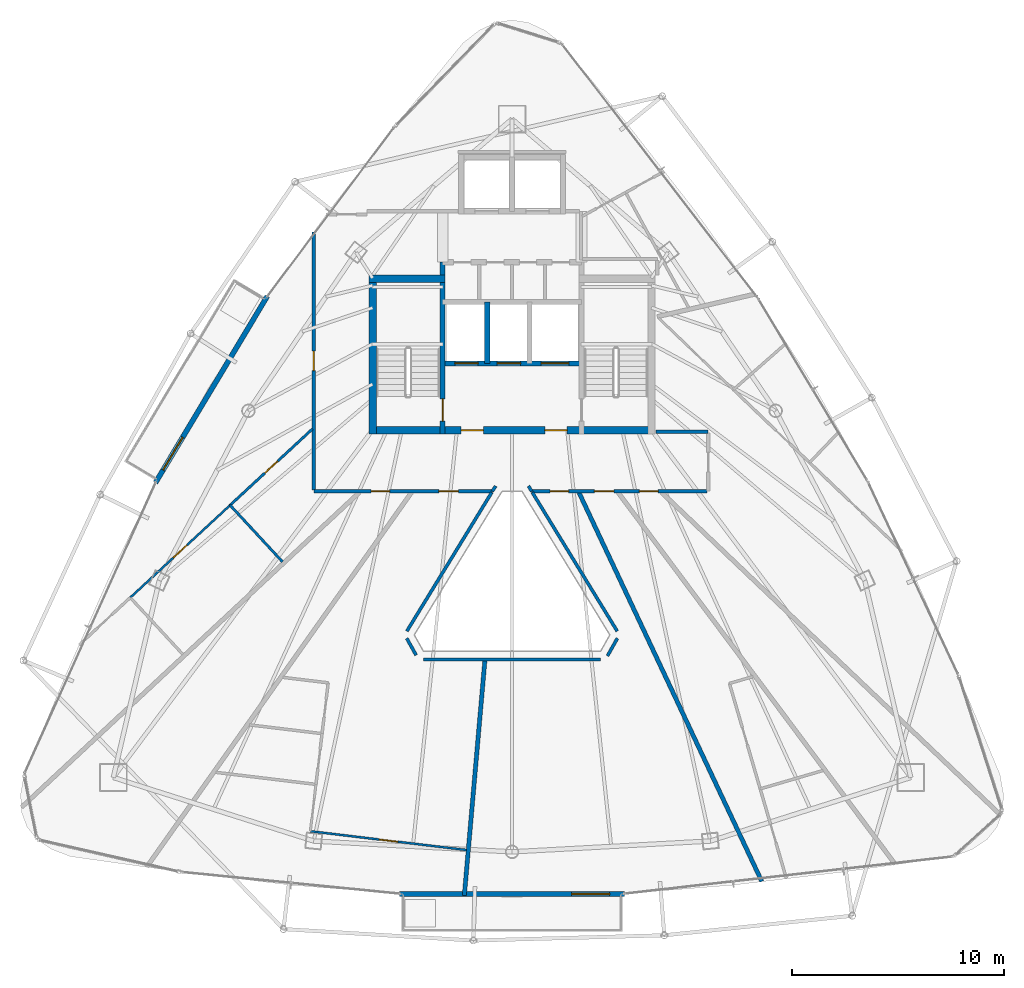
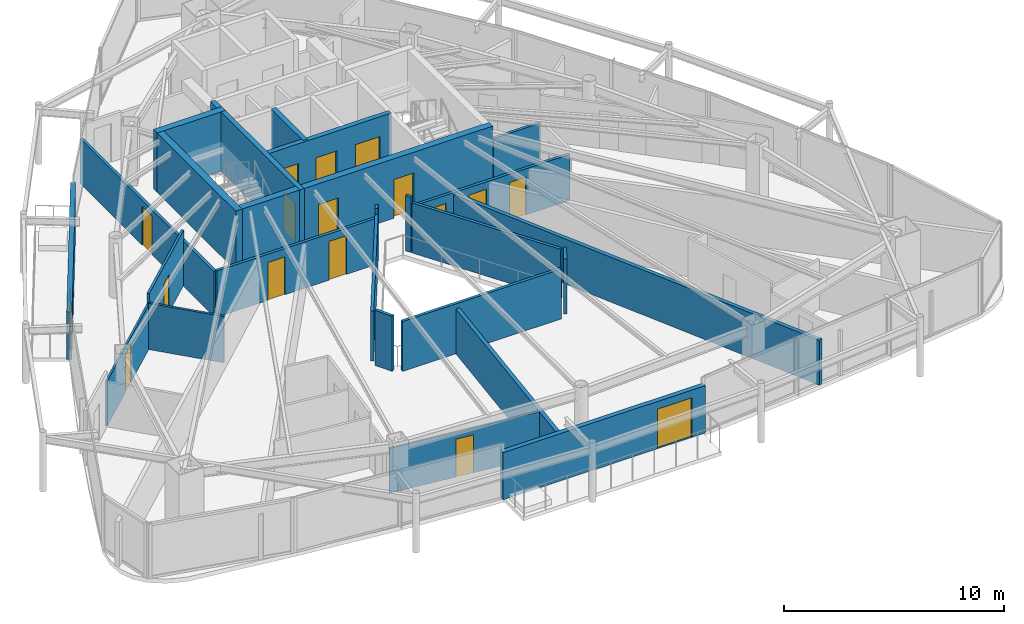
# One storey, part 27 of 32: 25 walls, 17 doors, 17 openings.
"""IFC4 building model written with IfcOpenShell, lengths in metres."""

from ifc_helpers import new_model, si_unit, direction, frame, frame_2d, origin, place, context, subcontext, project, spatial, rectangle, extrude, material, layer, layer_set, type_object, element, fill, save


model = new_model("IFC4")

# Units and contexts
model_context = context("Model", 3, precision=1e-05, world=origin(), true_north=direction((0.0, 1.0)))
body_context = subcontext(model_context, "Body", "Model", "MODEL_VIEW")
ifc_project = project(units=[si_unit("LENGTHUNIT", "METRE"), si_unit("AREAUNIT", "SQUARE_METRE"), si_unit("VOLUMEUNIT", "CUBIC_METRE"), si_unit("PLANEANGLEUNIT", "RADIAN"), si_unit("MASSUNIT", "GRAM", prefix="KILO")], contexts=[model_context])

# Site, building, storey
site_placement = place(None, origin())
site = spatial("IfcSite", under=ifc_project, at=site_placement, CompositionType="ELEMENT")
building_placement = place(site_placement, origin())
building = spatial("IfcBuilding", under=site, at=building_placement, Name="Orvanel Arch Residences", CompositionType="ELEMENT")
storey_placement = place(building_placement, frame((0.0, 0.0, 216.199951171875)))
storey = spatial("IfcBuildingStorey", under=building, at=storey_placement, Name="L61", CompositionType="ELEMENT", Elevation=216.199951171875)

# Wall, opening, door
ifc_material_1 = material(Name="Precast concrete N50 (50 MPa)", Category="concrete")
ifc_layer_1 = layer(ifc_material_1, 0.239990234375)
ifc_layer_set_1 = layer_set([ifc_layer_1], Name="Precast concrete N50 (50 MPa)")
wall_type_1 = type_object("IfcWallType", Name="EW-BAL-240", PredefinedType="SOLIDWALL", material=ifc_layer_set_1)
wall_1_placement = place(storey_placement, frame((21.4580078125, 33.0419921875, 0.0), z_axis=(0.0, 0.0, 1.0), x_axis=(-0.51433465168, -0.857589567381, 0.0)))
wall_1 = element("IfcWall", 1, at=wall_1_placement, inside=storey, type_object=wall_type_1, Name="L61 Balcony Threshold Wall Face 1", PredefinedType="SOLIDWALL", context=body_context, shape_type="SweptSolid", body=[
    extrude(rectangle(XDim=10.251953125, YDim=0.239990234375, at=frame_2d((5.1259765625, 0.0))), origin(), (0.0, 0.0, 1.0), 2.6240234375),
])
opening_1_placement = place(wall_1_placement, frame((7.75390625, 0.0, 0.0)))
opening_1 = element("IfcOpeningElement", 2, at=opening_1_placement, cuts=wall_1, Name="Opening DB-180", PredefinedType="OPENING", context=body_context, shape_type="SweptSolid", body=[
    extrude(rectangle(XDim=1.800048828125, YDim=2.199951171875, at=frame_2d((0.89990234375, 1.10009765625))), frame((0.0, 0.1298828125, 0.0), z_axis=(0.0, -1.0, 0.0), x_axis=(1.0, 0.0, 0.0)), (0.0, 0.0, 1.0), 0.260009765625),
])
ifc_material_2 = material(Name="Bronze-anodised aluminium AA6063-T6", Category="aluminium")
door_type_1 = type_object("IfcDoorType", Name="DR-BAL-1800", OperationType="NOTDEFINED", PredefinedType="DOOR", material=ifc_material_2)
door_1_placement = place(opening_1_placement, origin())
door_1 = element("IfcDoor", 3, at=door_1_placement, inside=storey, type_object=door_type_1, Name="DR-L61-BAL-F1 L61 Planted Balcony Access Door Face 1", OperationType="SINGLE_SWING_RIGHT", OverallHeight=2.199951171875, OverallWidth=1.800048828125, PredefinedType="DOOR", context=body_context, shape_type="SweptSolid", body=[
    extrude(rectangle(XDim=1.800048828125, YDim=2.199951171875, at=frame_2d((0.89990234375, 1.10009765625))), frame((0.0, 0.02490234375, 0.0), z_axis=(0.0, -1.0, 0.0), x_axis=(1.0, 0.0, 0.0)), (0.0, 0.0, 1.0), 0.050048828125),
])
fill(opening_1, door_1)

wall_2_placement = place(storey_placement, frame((27.696044921875, 4.85888671875, 0.0), z_axis=(0.0, 0.0, 1.0), x_axis=(1.0, 0.0, 0.0)))
wall_2 = element("IfcWall", 4, at=wall_2_placement, inside=storey, type_object=wall_type_1, Name="L61 Balcony Threshold Wall Face 2", PredefinedType="SOLIDWALL", context=body_context, shape_type="SweptSolid", body=[
    extrude(rectangle(XDim=10.60791015625, YDim=0.239990234375, at=frame_2d((5.303955078125, 0.0))), origin(), (0.0, 0.0, 1.0), 2.6240234375),
])
opening_2_placement = place(wall_2_placement, frame((8.10888671875, 0.0, 0.0)))
opening_2 = element("IfcOpeningElement", 5, at=opening_2_placement, cuts=wall_2, Name="Opening DB-180", PredefinedType="OPENING", context=body_context, shape_type="SweptSolid", body=[
    extrude(rectangle(XDim=1.800048828125, YDim=2.199951171875, at=frame_2d((0.89990234375, 1.10009765625))), frame((0.0, 0.1298828125, 0.0), z_axis=(0.0, -1.0, 0.0), x_axis=(1.0, 0.0, 0.0)), (0.0, 0.0, 1.0), 0.260009765625),
])
door_2_placement = place(opening_2_placement, origin())
door_2 = element("IfcDoor", 6, at=door_2_placement, inside=storey, type_object=door_type_1, Name="DR-L61-BAL-F2 L61 Planted Balcony Access Door Face 2", OperationType="SINGLE_SWING_LEFT", OverallHeight=2.199951171875, OverallWidth=1.800048828125, PredefinedType="DOOR", context=body_context, shape_type="SweptSolid", body=[
    extrude(rectangle(XDim=1.800048828125, YDim=2.199951171875, at=frame_2d((0.89990234375, 1.10009765625))), frame((0.0, 0.02490234375, 0.0), z_axis=(0.0, -1.0, 0.0), x_axis=(1.0, 0.0, 0.0)), (0.0, 0.0, 1.0), 0.050048828125),
])
fill(opening_2, door_2)

ifc_material_3 = material(Name="Concrete N50 (50 MPa)", Category="concrete")
ifc_layer_2 = layer(ifc_material_3, 0.25)
ifc_layer_set_2 = layer_set([ifc_layer_2], Name="Concrete N50 (50 MPa)")
wall_type_2 = type_object("IfcWallType", Name="SW-CORE-250", PredefinedType="SHEAR", material=ifc_layer_set_2)
wall_3_placement = place(storey_placement, frame((29.72509765625, 26.550048828125, 0.0), z_axis=(0.0, 0.0, 1.0), x_axis=(0.0, 1.0, 0.0)))
wall_3 = element("IfcWall", 7, at=wall_3_placement, inside=storey, type_object=wall_type_2, Name="L61 West Inner Core Spine Shear Wall", PredefinedType="SHEAR", context=body_context, shape_type="SweptSolid", body=[
    extrude(rectangle(XDim=8.099853515625, YDim=0.25, at=frame_2d((4.0498046875, 0.0))), origin(), (0.0, 0.0, 1.0), 3.300048828125),
])
opening_3_placement = place(wall_3_placement, frame((0.60009765625, 0.0, 0.0)))
opening_3 = element("IfcOpeningElement", 8, at=opening_3_placement, cuts=wall_3, Name="Opening DF-120", PredefinedType="OPENING", context=body_context, shape_type="SweptSolid", body=[
    extrude(rectangle(XDim=1.050048828125, YDim=2.14990234375, at=frame_2d((0.52490234375, 1.074951171875))), frame((0.0, 0.135009765625, 0.0), z_axis=(0.0, -1.0, 0.0), x_axis=(1.0, 0.0, 0.0)), (0.0, 0.0, 1.0), 0.27001953125),
])
ifc_material_4 = material(Name="Galvanised steel fire-resisting door assembly", Category="steel")
door_type_2 = type_object("IfcDoorType", Name="DR-FD120-1050", OperationType="NOTDEFINED", PredefinedType="DOOR", material=ifc_material_4)
door_3_placement = place(opening_3_placement, origin())
door_3 = element("IfcDoor", 9, at=door_3_placement, inside=storey, type_object=door_type_2, Name="DR-L61-ST1 L61 Stair 1 Fire Door", OperationType="SINGLE_SWING_LEFT", OverallHeight=2.14990234375, OverallWidth=1.050048828125, PredefinedType="DOOR", context=body_context, shape_type="SweptSolid", body=[
    extrude(rectangle(XDim=1.050048828125, YDim=2.14990234375, at=frame_2d((0.52490234375, 1.074951171875))), frame((0.0, 0.02490234375, 0.0), z_axis=(0.0, -1.0, 0.0), x_axis=(1.0, 0.0, 0.0)), (0.0, 0.0, 1.0), 0.050048828125),
])
fill(opening_3, door_3)

# Wall, openings, doors
wall_4_placement = place(storey_placement, frame((36.27490234375, 29.875, 0.0), z_axis=(0.0, 0.0, 1.0), x_axis=(-1.0, 0.0, 0.0)))
wall_4 = element("IfcWall", 10, at=wall_4_placement, inside=storey, type_object=wall_type_2, Name="L61 Emergency Lift Front Core Shear Wall", PredefinedType="SHEAR", context=body_context, shape_type="SweptSolid", body=[
    extrude(rectangle(XDim=6.5498046875, YDim=0.25, at=frame_2d((3.27490234375, 0.0))), origin(), (0.0, 0.0, 1.0), 3.300048828125),
])
opening_4_placement = place(wall_4_placement, frame((4.875, 0.0, 0.0)))
opening_4 = element("IfcOpeningElement", 11, at=opening_4_placement, cuts=wall_4, Name="Opening LD-110", PredefinedType="OPENING", context=body_context, shape_type="SweptSolid", body=[
    extrude(rectangle(XDim=1.10009765625, YDim=2.199951171875, at=frame_2d((0.550048828125, 1.10009765625))), frame((0.0, 0.135009765625, 0.0), z_axis=(0.0, -1.0, 0.0), x_axis=(1.0, 0.0, 0.0)), (0.0, 0.0, 1.0), 0.27001953125),
])
opening_5_placement = place(wall_4_placement, frame((2.875, 0.0, 0.0)))
opening_5 = element("IfcOpeningElement", 12, at=opening_5_placement, cuts=wall_4, Name="Opening LD-110", PredefinedType="OPENING", context=body_context, shape_type="SweptSolid", body=[
    extrude(rectangle(XDim=1.10009765625, YDim=2.199951171875, at=frame_2d((0.550048828125, 1.10009765625))), frame((0.0, 0.135009765625, 0.0), z_axis=(0.0, -1.0, 0.0), x_axis=(1.0, 0.0, 0.0)), (0.0, 0.0, 1.0), 0.27001953125),
])
opening_6_placement = place(wall_4_placement, frame((0.60009765625, 0.0, 0.0)))
opening_6 = element("IfcOpeningElement", 13, at=opening_6_placement, cuts=wall_4, Name="Opening LD-130", PredefinedType="OPENING", context=body_context, shape_type="SweptSolid", body=[
    extrude(rectangle(XDim=1.300048828125, YDim=2.199951171875, at=frame_2d((0.64990234375, 1.10009765625))), frame((0.0, 0.135009765625, 0.0), z_axis=(0.0, -1.0, 0.0), x_axis=(1.0, 0.0, 0.0)), (0.0, 0.0, 1.0), 0.27001953125),
])
door_type_3 = type_object("IfcDoorType", Name="DR-LFT-1100", OperationType="NOTDEFINED", PredefinedType="DOOR", material=ifc_material_4)
door_4_placement = place(opening_4_placement, origin())
door_4 = element("IfcDoor", 14, at=door_4_placement, inside=storey, type_object=door_type_3, Name="LD-F1-L61 L61 Lift F1 Sliding Landing Door", OperationType="DOUBLE_DOOR_SLIDING", OverallHeight=2.199951171875, OverallWidth=1.10009765625, PredefinedType="DOOR", context=body_context, shape_type="SweptSolid", body=[
    extrude(rectangle(XDim=1.10009765625, YDim=2.199951171875, at=frame_2d((0.550048828125, 1.10009765625))), frame((0.0, 0.02490234375, 0.0), z_axis=(0.0, -1.0, 0.0), x_axis=(1.0, 0.0, 0.0)), (0.0, 0.0, 1.0), 0.050048828125),
])
fill(opening_4, door_4)
door_5_placement = place(opening_5_placement, origin())
door_5 = element("IfcDoor", 15, at=door_5_placement, inside=storey, type_object=door_type_3, Name="LD-F2-L61 L61 Lift F2 Sliding Landing Door", OperationType="DOUBLE_DOOR_SLIDING", OverallHeight=2.199951171875, OverallWidth=1.10009765625, PredefinedType="DOOR", context=body_context, shape_type="SweptSolid", body=[
    extrude(rectangle(XDim=1.10009765625, YDim=2.199951171875, at=frame_2d((0.550048828125, 1.10009765625))), frame((0.0, 0.02490234375, 0.0), z_axis=(0.0, -1.0, 0.0), x_axis=(1.0, 0.0, 0.0)), (0.0, 0.0, 1.0), 0.050048828125),
])
fill(opening_5, door_5)
door_type_4 = type_object("IfcDoorType", Name="DR-LFT-1300", OperationType="NOTDEFINED", PredefinedType="DOOR", material=ifc_material_4)
door_6_placement = place(opening_6_placement, origin())
door_6 = element("IfcDoor", 16, at=door_6_placement, inside=storey, type_object=door_type_4, Name="LD-G1-L61 L61 Lift G1 Sliding Landing Door", OperationType="DOUBLE_DOOR_SLIDING", OverallHeight=2.199951171875, OverallWidth=1.300048828125, PredefinedType="DOOR", context=body_context, shape_type="SweptSolid", body=[
    extrude(rectangle(XDim=1.300048828125, YDim=2.199951171875, at=frame_2d((0.64990234375, 1.10009765625))), frame((0.0, 0.02490234375, 0.0), z_axis=(0.0, -1.0, 0.0), x_axis=(1.0, 0.0, 0.0)), (0.0, 0.0, 1.0), 0.050048828125),
])
fill(opening_6, door_6)

# Wall
wall_5_placement = place(storey_placement, frame((31.824951171875, 29.875, 0.0), z_axis=(0.0, 0.0, 1.0), x_axis=(0.0, 1.0, 0.0)))
element("IfcWall", 17, at=wall_5_placement, inside=storey, type_object=wall_type_2, Name="L61 Emergency Lift Inter-Shaft Wall F12", PredefinedType="SHEAR", context=body_context, shape_type="SweptSolid", body=[
    extrude(rectangle(XDim=2.89990234375, YDim=0.25, at=frame_2d((1.449951171875, 0.0))), origin(), (0.0, 0.0, 1.0), 3.300048828125),
])

# Wall, openings, doors
ifc_layer_3 = layer(ifc_material_3, 0.35009765625)
ifc_layer_set_3 = layer_set([ifc_layer_3], Name="Concrete N50 (50 MPa)")
wall_type_3 = type_object("IfcWallType", Name="SW-CORE-350", PredefinedType="SHEAR", material=ifc_layer_set_3)
wall_6_placement = place(storey_placement, frame((26.25, 26.72509765625, 0.0), z_axis=(0.0, 0.0, 1.0), x_axis=(1.0, 0.0, 0.0)))
wall_6 = element("IfcWall", 18, at=wall_6_placement, inside=storey, type_object=wall_type_3, Name="L61 South Core Shear Wall", PredefinedType="SHEAR", context=body_context, shape_type="SweptSolid", body=[
    extrude(rectangle(XDim=13.5, YDim=0.35009765625, at=frame_2d((6.75, 0.0))), origin(), (0.0, 0.0, 1.0), 3.300048828125),
])
opening_7_placement = place(wall_6_placement, frame((4.35009765625, 0.0, 0.0)))
opening_7 = element("IfcOpeningElement", 19, at=opening_7_placement, cuts=wall_6, Name="Opening DF-060", PredefinedType="OPENING", context=body_context, shape_type="SweptSolid", body=[
    extrude(rectangle(XDim=1.050048828125, YDim=2.14990234375, at=frame_2d((0.52490234375, 1.074951171875))), frame((0.0, 0.18505859375, 0.0), z_axis=(0.0, -1.0, 0.0), x_axis=(1.0, 0.0, 0.0)), (0.0, 0.0, 1.0), 0.3701171875),
])
opening_8_placement = place(wall_6_placement, frame((8.300048828125, 0.0, 0.0)))
opening_8 = element("IfcOpeningElement", 20, at=opening_8_placement, cuts=wall_6, Name="Opening DF-060", PredefinedType="OPENING", context=body_context, shape_type="SweptSolid", body=[
    extrude(rectangle(XDim=1.050048828125, YDim=2.14990234375, at=frame_2d((0.52490234375, 1.074951171875))), frame((0.0, 0.18505859375, 0.0), z_axis=(0.0, -1.0, 0.0), x_axis=(1.0, 0.0, 0.0)), (0.0, 0.0, 1.0), 0.3701171875),
])
door_type_5 = type_object("IfcDoorType", Name="DR-FD60-1050", OperationType="NOTDEFINED", PredefinedType="DOOR", material=ifc_material_4)
door_7_placement = place(opening_7_placement, origin())
door_7 = element("IfcDoor", 21, at=door_7_placement, inside=storey, type_object=door_type_5, Name="DR-L61-FFL-W L61 West Smoke Lobby Door", OperationType="SINGLE_SWING_LEFT", OverallHeight=2.14990234375, OverallWidth=1.050048828125, PredefinedType="DOOR", context=body_context, shape_type="SweptSolid", body=[
    extrude(rectangle(XDim=1.050048828125, YDim=2.14990234375, at=frame_2d((0.52490234375, 1.074951171875))), frame((0.0, 0.02490234375, 0.0), z_axis=(0.0, -1.0, 0.0), x_axis=(1.0, 0.0, 0.0)), (0.0, 0.0, 1.0), 0.050048828125),
])
fill(opening_7, door_7)
door_8_placement = place(opening_8_placement, origin())
door_8 = element("IfcDoor", 22, at=door_8_placement, inside=storey, type_object=door_type_5, Name="DR-L61-FFL-E L61 East Smoke Lobby Door", OperationType="SINGLE_SWING_RIGHT", OverallHeight=2.14990234375, OverallWidth=1.050048828125, PredefinedType="DOOR", context=body_context, shape_type="SweptSolid", body=[
    extrude(rectangle(XDim=1.050048828125, YDim=2.14990234375, at=frame_2d((0.52490234375, 1.074951171875))), frame((0.0, 0.02490234375, 0.0), z_axis=(0.0, -1.0, 0.0), x_axis=(1.0, 0.0, 0.0)), (0.0, 0.0, 1.0), 0.050048828125),
])
fill(opening_8, door_8)

# Walls
wall_7_placement = place(storey_placement, frame((26.425048828125, 26.550048828125, 0.0), z_axis=(0.0, 0.0, 1.0), x_axis=(0.0, 1.0, 0.0)))
element("IfcWall", 23, at=wall_7_placement, inside=storey, type_object=wall_type_3, Name="L61 West Stair Shear Wall", PredefinedType="SHEAR", context=body_context, shape_type="SweptSolid", body=[
    extrude(rectangle(XDim=7.5, YDim=0.35009765625, at=frame_2d((3.75, 0.0))), origin(), (0.0, 0.0, 1.0), 3.300048828125),
])
wall_8_placement = place(storey_placement, frame((26.25, 33.875, 0.0), z_axis=(0.0, 0.0, 1.0), x_axis=(1.0, 0.0, 0.0)))
element("IfcWall", 24, at=wall_8_placement, inside=storey, type_object=wall_type_3, Name="L61 West Stair North Shear Wall", PredefinedType="SHEAR", context=body_context, shape_type="SweptSolid", body=[
    extrude(rectangle(XDim=3.60009765625, YDim=0.35009765625, at=frame_2d((1.800048828125, 0.0))), origin(), (0.0, 0.0, 1.0), 3.300048828125),
])
ifc_material_5 = material(Name="Fire-rated plasterboard lined steel stud partition", Category="steel")
ifc_layer_4 = layer(ifc_material_5, 0.14990234375)
ifc_layer_set_4 = layer_set([ifc_layer_4], Name="Fire-rated plasterboard lined steel stud partition")
wall_type_4 = type_object("IfcWallType", Name="W-COR-150", PredefinedType="PARTITIONING", material=ifc_layer_set_4)
wall_9_placement = place(storey_placement, frame((32.22802734375, 24.093994140625, 0.0), z_axis=(0.0, 0.0, 1.0), x_axis=(-0.53643811989, -0.843939656331, 0.0)))
element("IfcWall", 25, at=wall_9_placement, inside=storey, type_object=wall_type_4, Name="L61 Corridor Fire-Rated Partition", PredefinedType="PARTITIONING", context=body_context, shape_type="SweptSolid", body=[
    extrude(rectangle(XDim=0.2890625, YDim=0.14990234375, at=frame_2d((0.14453125, 0.0))), origin(), (0.0, 0.0, 1.0), 3.06005859375),
])

# Wall, openings, doors
wall_10_placement = place(storey_placement, frame((32.072998046875, 23.85009765625, 0.0), z_axis=(0.0, 0.0, 1.0), x_axis=(-1.0, 0.0, 0.0)))
wall_10 = element("IfcWall", 26, at=wall_10_placement, inside=storey, type_object=wall_type_4, Name="L61 Corridor Fire-Rated Partition", PredefinedType="PARTITIONING", context=body_context, shape_type="SweptSolid", body=[
    extrude(rectangle(XDim=8.423095703125, YDim=0.14990234375, at=frame_2d((4.21142578125, 0.0))), origin(), (0.0, 0.0, 1.0), 2.56494140625),
])
opening_9_placement = place(wall_10_placement, frame((1.60107421875, 0.0, 0.0)))
opening_9 = element("IfcOpeningElement", 27, at=opening_9_placement, cuts=wall_10, Name="Opening DA-092", PredefinedType="OPENING", context=body_context, shape_type="SweptSolid", body=[
    extrude(rectangle(XDim=0.919921875, YDim=2.14990234375, at=frame_2d((0.4599609375, 1.074951171875))), frame((0.0, 0.0849609375, 0.0), z_axis=(0.0, -1.0, 0.0), x_axis=(1.0, 0.0, 0.0)), (0.0, 0.0, 1.0), 0.169921875),
])
opening_10_placement = place(wall_10_placement, frame((4.841064453125, 0.0, 0.0)))
opening_10 = element("IfcOpeningElement", 28, at=opening_10_placement, cuts=wall_10, Name="Opening DI-088", PredefinedType="OPENING", context=body_context, shape_type="SweptSolid", body=[
    extrude(rectangle(XDim=0.8798828125, YDim=2.10009765625, at=frame_2d((0.43994140625, 1.050048828125))), frame((0.0, 0.0849609375, 0.0), z_axis=(0.0, -1.0, 0.0), x_axis=(1.0, 0.0, 0.0)), (0.0, 0.0, 1.0), 0.169921875),
])
ifc_material_6 = material(Name="Solid-core European oak veneer fire door leaf", Category="wood")
door_type_6 = type_object("IfcDoorType", Name="DR-APT-920", OperationType="NOTDEFINED", PredefinedType="DOOR", material=ifc_material_6)
door_9_placement = place(opening_9_placement, origin())
door_9 = element("IfcDoor", 29, at=door_9_placement, inside=storey, type_object=door_type_6, Name="DR-L61-A-ENT L61 Studio A Entrance Door", OperationType="SINGLE_SWING_RIGHT", OverallHeight=2.14990234375, OverallWidth=0.919921875, PredefinedType="DOOR", context=body_context, shape_type="SweptSolid", body=[
    extrude(rectangle(XDim=0.919921875, YDim=2.14990234375, at=frame_2d((0.4599609375, 1.074951171875))), frame((0.0, 0.02490234375, 0.0), z_axis=(0.0, -1.0, 0.0), x_axis=(1.0, 0.0, 0.0)), (0.0, 0.0, 1.0), 0.050048828125),
])
fill(opening_9, door_9)
door_type_7 = type_object("IfcDoorType", Name="DR-INT-880", OperationType="NOTDEFINED", PredefinedType="DOOR", material=ifc_material_6)
door_10_placement = place(opening_10_placement, origin())
door_10 = element("IfcDoor", 30, at=door_10_placement, inside=storey, type_object=door_type_7, Name="DR-L61-SHRD-FB6 L61 Co-Working Study Office F Door", OperationType="SINGLE_SWING_LEFT", OverallHeight=2.10009765625, OverallWidth=0.8798828125, PredefinedType="DOOR", context=body_context, shape_type="SweptSolid", body=[
    extrude(rectangle(XDim=0.8798828125, YDim=2.10009765625, at=frame_2d((0.43994140625, 1.050048828125))), frame((0.0, 0.02490234375, 0.0), z_axis=(0.0, -1.0, 0.0), x_axis=(1.0, 0.0, 0.0)), (0.0, 0.0, 1.0), 0.050048828125),
])
fill(opening_10, door_10)

# Wall, opening, door
wall_11_placement = place(storey_placement, frame((23.64990234375, 23.909912109375, 0.0), z_axis=(0.0, 0.0, 1.0), x_axis=(0.0, 1.0, 0.0)))
wall_11 = element("IfcWall", 31, at=wall_11_placement, inside=storey, type_object=wall_type_4, Name="L61 Corridor Fire-Rated Partition", PredefinedType="PARTITIONING", context=body_context, shape_type="SweptSolid", body=[
    extrude(rectangle(XDim=12.1630859375, YDim=0.14990234375, at=frame_2d((6.08154296875, 0.0))), origin(), (0.0, 0.0, 1.0), 2.491943359375),
])
opening_11_placement = place(wall_11_placement, frame((5.6220703125, 0.0, 0.0)))
opening_11 = element("IfcOpeningElement", 32, at=opening_11_placement, cuts=wall_11, Name="Opening DA-092", PredefinedType="OPENING", context=body_context, shape_type="SweptSolid", body=[
    extrude(rectangle(XDim=0.919921875, YDim=2.14990234375, at=frame_2d((0.4599609375, 1.074951171875))), frame((0.0, 0.0849609375, 0.0), z_axis=(0.0, -1.0, 0.0), x_axis=(1.0, 0.0, 0.0)), (0.0, 0.0, 1.0), 0.169921875),
])
door_11_placement = place(opening_11_placement, origin())
door_11 = element("IfcDoor", 33, at=door_11_placement, inside=storey, type_object=door_type_6, Name="DR-L61-D-ENT L61 Studio D Entrance Door", OperationType="SINGLE_SWING_LEFT", OverallHeight=2.14990234375, OverallWidth=0.919921875, PredefinedType="DOOR", context=body_context, shape_type="SweptSolid", body=[
    extrude(rectangle(XDim=0.919921875, YDim=2.14990234375, at=frame_2d((0.4599609375, 1.074951171875))), frame((0.0, 0.02490234375, 0.0), z_axis=(0.0, -1.0, 0.0), x_axis=(1.0, 0.0, 0.0)), (0.0, 0.0, 1.0), 0.050048828125),
])
fill(opening_11, door_11)

# Wall
wall_12_placement = place(storey_placement, frame((39.7900390625, 26.64990234375, 0.0), z_axis=(0.0, 0.0, 1.0), x_axis=(1.0, 0.0, 0.0)))
element("IfcWall", 34, at=wall_12_placement, inside=storey, type_object=wall_type_4, Name="L61 Corridor Fire-Rated Partition", PredefinedType="PARTITIONING", context=body_context, shape_type="SweptSolid", body=[
    extrude(rectangle(XDim=2.4599609375, YDim=0.14990234375, at=frame_2d((1.22998046875, 0.0))), origin(), (0.0, 0.0, 1.0), 2.56494140625),
])

# Wall, openings, doors
wall_13_placement = place(storey_placement, frame((42.18994140625, 23.85009765625, 0.0), z_axis=(0.0, 0.0, 1.0), x_axis=(-1.0, 0.0, 0.0)))
wall_13 = element("IfcWall", 35, at=wall_13_placement, inside=storey, type_object=wall_type_4, Name="L61 Corridor Fire-Rated Partition", PredefinedType="PARTITIONING", context=body_context, shape_type="SweptSolid", body=[
    extrude(rectangle(XDim=8.262939453125, YDim=0.14990234375, at=frame_2d((4.13134765625, 0.0))), origin(), (0.0, 0.0, 1.0), 2.56494140625),
])
opening_12_placement = place(wall_13_placement, frame((6.51611328125, 0.0, 0.0)))
opening_12 = element("IfcOpeningElement", 36, at=opening_12_placement, cuts=wall_13, Name="Opening DI-088", PredefinedType="OPENING", context=body_context, shape_type="SweptSolid", body=[
    extrude(rectangle(XDim=0.8798828125, YDim=2.10009765625, at=frame_2d((0.43994140625, 1.050048828125))), frame((0.0, 0.0849609375, 0.0), z_axis=(0.0, -1.0, 0.0), x_axis=(1.0, 0.0, 0.0)), (0.0, 0.0, 1.0), 0.169921875),
])
opening_13_placement = place(wall_13_placement, frame((2.306884765625, 0.0, 0.0)))
opening_13 = element("IfcOpeningElement", 37, at=opening_13_placement, cuts=wall_13, Name="Opening DI-088", PredefinedType="OPENING", context=body_context, shape_type="SweptSolid", body=[
    extrude(rectangle(XDim=0.8798828125, YDim=2.10009765625, at=frame_2d((0.43994140625, 1.050048828125))), frame((0.0, 0.0849609375, 0.0), z_axis=(0.0, -1.0, 0.0), x_axis=(1.0, 0.0, 0.0)), (0.0, 0.0, 1.0), 0.169921875),
])
opening_14_placement = place(wall_13_placement, frame((4.384033203125, 0.0, 0.0)))
opening_14 = element("IfcOpeningElement", 38, at=opening_14_placement, cuts=wall_13, Name="Opening DA-092", PredefinedType="OPENING", context=body_context, shape_type="SweptSolid", body=[
    extrude(rectangle(XDim=0.919921875, YDim=2.14990234375, at=frame_2d((0.4599609375, 1.074951171875))), frame((0.0, 0.0849609375, 0.0), z_axis=(0.0, -1.0, 0.0), x_axis=(1.0, 0.0, 0.0)), (0.0, 0.0, 1.0), 0.169921875),
])
door_12_placement = place(opening_14_placement, origin())
door_12 = element("IfcDoor", 39, at=door_12_placement, inside=storey, type_object=door_type_6, Name="DR-L61-H-ENT L61 Studio H Entrance Door", OperationType="SINGLE_SWING_LEFT", OverallHeight=2.14990234375, OverallWidth=0.919921875, PredefinedType="DOOR", context=body_context, shape_type="SweptSolid", body=[
    extrude(rectangle(XDim=0.919921875, YDim=2.14990234375, at=frame_2d((0.4599609375, 1.074951171875))), frame((0.0, 0.02490234375, 0.0), z_axis=(0.0, -1.0, 0.0), x_axis=(1.0, 0.0, 0.0)), (0.0, 0.0, 1.0), 0.050048828125),
])
fill(opening_14, door_12)
door_13_placement = place(opening_12_placement, origin())
door_13 = element("IfcDoor", 40, at=door_13_placement, inside=storey, type_object=door_type_7, Name="DR-L61-SHRD-FB3 L61 Co-Working Study Office C Door", OperationType="SINGLE_SWING_LEFT", OverallHeight=2.10009765625, OverallWidth=0.8798828125, PredefinedType="DOOR", context=body_context, shape_type="SweptSolid", body=[
    extrude(rectangle(XDim=0.8798828125, YDim=2.10009765625, at=frame_2d((0.43994140625, 1.050048828125))), frame((0.0, 0.02490234375, 0.0), z_axis=(0.0, -1.0, 0.0), x_axis=(1.0, 0.0, 0.0)), (0.0, 0.0, 1.0), 0.050048828125),
])
fill(opening_12, door_13)
door_14_placement = place(opening_13_placement, origin())
door_14 = element("IfcDoor", 41, at=door_14_placement, inside=storey, type_object=door_type_7, Name="DR-L61-SHRD-FB7 L61 Co-Working Study Office G Door", OperationType="SINGLE_SWING_LEFT", OverallHeight=2.10009765625, OverallWidth=0.8798828125, PredefinedType="DOOR", context=body_context, shape_type="SweptSolid", body=[
    extrude(rectangle(XDim=0.8798828125, YDim=2.10009765625, at=frame_2d((0.43994140625, 1.050048828125))), frame((0.0, 0.02490234375, 0.0), z_axis=(0.0, -1.0, 0.0), x_axis=(1.0, 0.0, 0.0)), (0.0, 0.0, 1.0), 0.050048828125),
])
fill(opening_13, door_14)

# Walls
wall_14_placement = place(storey_placement, frame((33.927001953125, 23.85107421875, 0.0), z_axis=(0.0, 0.0, 1.0), x_axis=(-0.537971414128, 0.84296308198, 0.0)))
element("IfcWall", 42, at=wall_14_placement, inside=storey, type_object=wall_type_4, Name="L61 Corridor Fire-Rated Partition", PredefinedType="PARTITIONING", context=body_context, shape_type="SweptSolid", body=[
    extrude(rectangle(XDim=0.2880859375, YDim=0.14990234375, at=frame_2d((0.14404296875, 0.0))), origin(), (0.0, 0.0, 1.0), 3.06005859375),
])
wall_15_placement = place(storey_placement, frame((33.9580078125, 23.7900390625, 0.0), z_axis=(0.0, 0.0, 1.0), x_axis=(0.521949656317, -0.852976292912, 0.0)))
element("IfcWall", 43, at=wall_15_placement, inside=storey, type_object=wall_type_4, Name="L61 Atrium Overlook Glazed Partition", PredefinedType="PARTITIONING", context=body_context, shape_type="SweptSolid", body=[
    extrude(rectangle(XDim=7.667236328125, YDim=0.14990234375, at=frame_2d((3.83349609375, 0.0))), origin(), (0.0, 0.0, 1.0), 2.77294921875),
])
wall_16_placement = place(storey_placement, frame((37.966064453125, 16.9140625, 0.0), z_axis=(0.0, 0.0, 1.0), x_axis=(-0.48879868802, -0.872396608539, 0.0)))
element("IfcWall", 44, at=wall_16_placement, inside=storey, type_object=wall_type_4, Name="L61 Atrium Overlook Glazed Partition", PredefinedType="PARTITIONING", context=body_context, shape_type="SweptSolid", body=[
    extrude(rectangle(XDim=0.951416015625, YDim=0.14990234375, at=frame_2d((0.4755859375, 0.0))), origin(), (0.0, 0.0, 1.0), 3.06005859375),
])
wall_17_placement = place(storey_placement, frame((37.172119140625, 15.912109375, 0.0), z_axis=(0.0, 0.0, 1.0), x_axis=(-1.0, 0.0, 0.0)))
element("IfcWall", 45, at=wall_17_placement, inside=storey, type_object=wall_type_4, Name="L61 Atrium Overlook Glazed Partition", PredefinedType="PARTITIONING", context=body_context, shape_type="SweptSolid", body=[
    extrude(rectangle(XDim=8.34423828125, YDim=0.14990234375, at=frame_2d((4.172119140625, 0.0))), origin(), (0.0, 0.0, 1.0), 2.77294921875),
])
wall_18_placement = place(storey_placement, frame((28.47900390625, 16.116943359375, 0.0), z_axis=(0.0, 0.0, 1.0), x_axis=(-0.487503666908, 0.873120939361, 0.0)))
element("IfcWall", 46, at=wall_18_placement, inside=storey, type_object=wall_type_4, Name="L61 Atrium Overlook Glazed Partition", PredefinedType="PARTITIONING", context=body_context, shape_type="SweptSolid", body=[
    extrude(rectangle(XDim=0.912841796875, YDim=0.14990234375, at=frame_2d((0.45654296875, 0.0))), origin(), (0.0, 0.0, 1.0), 3.06005859375),
])
wall_19_placement = place(storey_placement, frame((28.0400390625, 17.25, 0.0), z_axis=(0.0, 0.0, 1.0), x_axis=(0.521949656317, 0.852976292912, 0.0)))
element("IfcWall", 47, at=wall_19_placement, inside=storey, type_object=wall_type_4, Name="L61 Atrium Overlook Glazed Partition", PredefinedType="PARTITIONING", context=body_context, shape_type="SweptSolid", body=[
    extrude(rectangle(XDim=7.667236328125, YDim=0.14990234375, at=frame_2d((3.83349609375, 0.0))), origin(), (0.0, 0.0, 1.0), 2.77294921875),
])
ifc_layer_5 = layer(ifc_material_5, 0.199951171875)
ifc_layer_set_5 = layer_set([ifc_layer_5], Name="Fire-rated plasterboard lined steel stud partition")
wall_type_5 = type_object("IfcWallType", Name="W-DEM-200", PredefinedType="PARTITIONING", material=ifc_layer_set_5)
wall_20_placement = place(storey_placement, frame((31.718017578125, 15.85205078125, 0.0), z_axis=(0.0, 0.0, 1.0), x_axis=(-0.087103117533, -0.996199300801, 0.0)))
element("IfcWall", 48, at=wall_20_placement, inside=storey, type_object=wall_type_5, Name="L61 Inter-Tenancy Acoustic Demising Wall", PredefinedType="PARTITIONING", context=body_context, shape_type="SweptSolid", body=[
    extrude(rectangle(XDim=11.102294921875, YDim=0.199951171875, at=frame_2d((5.55126953125, 0.0))), origin(), (0.0, 0.0, 1.0), 2.491943359375),
])
wall_21_placement = place(storey_placement, frame((36.155029296875, 23.7900390625, 0.0), z_axis=(0.0, 0.0, 1.0), x_axis=(0.425451226132, -0.90498135571, 0.0)))
element("IfcWall", 49, at=wall_21_placement, inside=storey, type_object=wall_type_5, Name="L61 Inter-Tenancy Acoustic Demising Wall", PredefinedType="PARTITIONING", context=body_context, shape_type="SweptSolid", body=[
    extrude(rectangle(XDim=20.265625, YDim=0.199951171875, at=frame_2d((10.1328125, 0.0))), origin(), (0.0, 0.0, 1.0), 2.491943359375),
])

# Wall, opening, door
ifc_material_7 = material(Name="Acoustic plasterboard lined twin-stud partition", Category="gypsum")
ifc_layer_6 = layer(ifc_material_7, 0.10009765625)
ifc_layer_set_6 = layer_set([ifc_layer_6], Name="Acoustic plasterboard lined twin-stud partition")
wall_type_6 = type_object("IfcWallType", Name="W-INT-100", PredefinedType="PARTITIONING", material=ifc_layer_set_6)
wall_22_placement = place(storey_placement, frame((30.85302734375, 6.930908203125, 0.0), z_axis=(0.0, 0.0, 1.0), x_axis=(-0.992840033501, 0.119451529409, 0.0)))
wall_22 = element("IfcWall", 50, at=wall_22_placement, inside=storey, type_object=wall_type_6, Name="L61 Studio A Internal Partition", PredefinedType="PARTITIONING", context=body_context, shape_type="SweptSolid", body=[
    extrude(rectangle(XDim=7.417236328125, YDim=0.10009765625, at=frame_2d((3.70849609375, 0.0))), origin(), (0.0, 0.0, 1.0), 2.491943359375),
])
opening_15_placement = place(wall_22_placement, frame((3.26904296875, 0.0, 0.0)))
opening_15 = element("IfcOpeningElement", 51, at=opening_15_placement, cuts=wall_22, Name="Opening DI-088", PredefinedType="OPENING", context=body_context, shape_type="SweptSolid", body=[
    extrude(rectangle(XDim=0.8798828125, YDim=2.10009765625, at=frame_2d((0.43994140625, 1.050048828125))), frame((0.0, 0.06005859375, 0.0), z_axis=(0.0, -1.0, 0.0), x_axis=(1.0, 0.0, 0.0)), (0.0, 0.0, 1.0), 0.1201171875),
])
door_15_placement = place(opening_15_placement, origin())
door_15 = element("IfcDoor", 52, at=door_15_placement, inside=storey, type_object=door_type_7, Name="DR-L61-A-OFC1 L61 Studio A Home Work Office 1 Door", OperationType="SINGLE_SWING_LEFT", OverallHeight=2.10009765625, OverallWidth=0.8798828125, PredefinedType="DOOR", context=body_context, shape_type="SweptSolid", body=[
    extrude(rectangle(XDim=0.8798828125, YDim=2.10009765625, at=frame_2d((0.43994140625, 1.050048828125))), frame((0.0, 0.02490234375, 0.0), z_axis=(0.0, -1.0, 0.0), x_axis=(1.0, 0.0, 0.0)), (0.0, 0.0, 1.0), 0.050048828125),
])
fill(opening_15, door_15)

wall_23_placement = place(storey_placement, frame((19.7060546875, 23.19091796875, 0.0), z_axis=(0.0, 0.0, 1.0), x_axis=(-0.733941951163, -0.679212199775, 0.0)))
wall_23 = element("IfcWall", 53, at=wall_23_placement, inside=storey, type_object=wall_type_6, Name="L61 Studio D Internal Partition", PredefinedType="PARTITIONING", context=body_context, shape_type="SweptSolid", body=[
    extrude(rectangle(XDim=6.414794921875, YDim=0.10009765625, at=frame_2d((3.20751953125, 0.0))), origin(), (0.0, 0.0, 1.0), 2.491943359375),
])
opening_16_placement = place(wall_23_placement, frame((2.76708984375, 0.0, 0.0)))
opening_16 = element("IfcOpeningElement", 54, at=opening_16_placement, cuts=wall_23, Name="Opening DI-088", PredefinedType="OPENING", context=body_context, shape_type="SweptSolid", body=[
    extrude(rectangle(XDim=0.8798828125, YDim=2.10009765625, at=frame_2d((0.43994140625, 1.050048828125))), frame((0.0, 0.06005859375, 0.0), z_axis=(0.0, -1.0, 0.0), x_axis=(1.0, 0.0, 0.0)), (0.0, 0.0, 1.0), 0.1201171875),
])
door_16_placement = place(opening_16_placement, origin())
door_16 = element("IfcDoor", 55, at=door_16_placement, inside=storey, type_object=door_type_7, Name="DR-L61-D-AME1 L61 Studio D Resident Reading Library 2 Door", OperationType="SINGLE_SWING_LEFT", OverallHeight=2.10009765625, OverallWidth=0.8798828125, PredefinedType="DOOR", context=body_context, shape_type="SweptSolid", body=[
    extrude(rectangle(XDim=0.8798828125, YDim=2.10009765625, at=frame_2d((0.43994140625, 1.050048828125))), frame((0.0, 0.02490234375, 0.0), z_axis=(0.0, -1.0, 0.0), x_axis=(1.0, 0.0, 0.0)), (0.0, 0.0, 1.0), 0.050048828125),
])
fill(opening_16, door_16)

ifc_layer_7 = layer(ifc_material_7, 0.1201171875)
ifc_layer_set_7 = layer_set([ifc_layer_7], Name="Acoustic plasterboard lined twin-stud partition")
wall_type_7 = type_object("IfcWallType", Name="W-WET-120", PredefinedType="PARTITIONING", material=ifc_layer_set_7)
wall_24_placement = place(storey_placement, frame((23.590087890625, 26.785888671875, 0.0), z_axis=(0.0, 0.0, 1.0), x_axis=(-0.733888422473, -0.679270037143, 0.0)))
wall_24 = element("IfcWall", 56, at=wall_24_placement, inside=storey, type_object=wall_type_7, Name="L61 Studio D Bathroom Partition", PredefinedType="PARTITIONING", context=body_context, shape_type="SweptSolid", body=[
    extrude(rectangle(XDim=5.29248046875, YDim=0.1201171875, at=frame_2d((2.646240234375, 0.0))), origin(), (0.0, 0.0, 1.0), 3.06005859375),
])
opening_17_placement = place(wall_24_placement, frame((2.236083984375, 0.0, 0.0)))
opening_17 = element("IfcOpeningElement", 57, at=opening_17_placement, cuts=wall_24, Name="Opening DW-082", PredefinedType="OPENING", context=body_context, shape_type="SweptSolid", body=[
    extrude(rectangle(XDim=0.820068359375, YDim=2.10009765625, at=frame_2d((0.41015625, 1.050048828125))), frame((0.0, 0.070068359375, 0.0), z_axis=(0.0, -1.0, 0.0), x_axis=(1.0, 0.0, 0.0)), (0.0, 0.0, 1.0), 0.14013671875),
])
door_type_8 = type_object("IfcDoorType", Name="DR-WET-820", OperationType="NOTDEFINED", PredefinedType="DOOR", material=ifc_material_6)
door_17_placement = place(opening_17_placement, origin())
door_17 = element("IfcDoor", 58, at=door_17_placement, inside=storey, type_object=door_type_8, Name="DR-L61-D-BATH L61 Studio D Bathroom Door", OperationType="SINGLE_SWING_RIGHT", OverallHeight=2.10009765625, OverallWidth=0.820068359375, PredefinedType="DOOR", context=body_context, shape_type="SweptSolid", body=[
    extrude(rectangle(XDim=0.820068359375, YDim=2.10009765625, at=frame_2d((0.41015625, 1.050048828125))), frame((0.0, 0.02490234375, 0.0), z_axis=(0.0, -1.0, 0.0), x_axis=(1.0, 0.0, 0.0)), (0.0, 0.0, 1.0), 0.050048828125),
])
fill(opening_17, door_17)

# Wall
wall_25_placement = place(storey_placement, frame((22.172119140625, 20.52587890625, 0.0), z_axis=(0.0, 0.0, 1.0), x_axis=(-0.67917603964, 0.733975413198, 0.0)))
element("IfcWall", 59, at=wall_25_placement, inside=storey, type_object=wall_type_7, Name="L61 Studio D Bathroom Partition", PredefinedType="PARTITIONING", context=body_context, shape_type="SweptSolid", body=[
    extrude(rectangle(XDim=3.630859375, YDim=0.1201171875, at=frame_2d((1.8154296875, 0.0))), origin(), (0.0, 0.0, 1.0), 2.56494140625),
])

save(model, "model.ifc")
